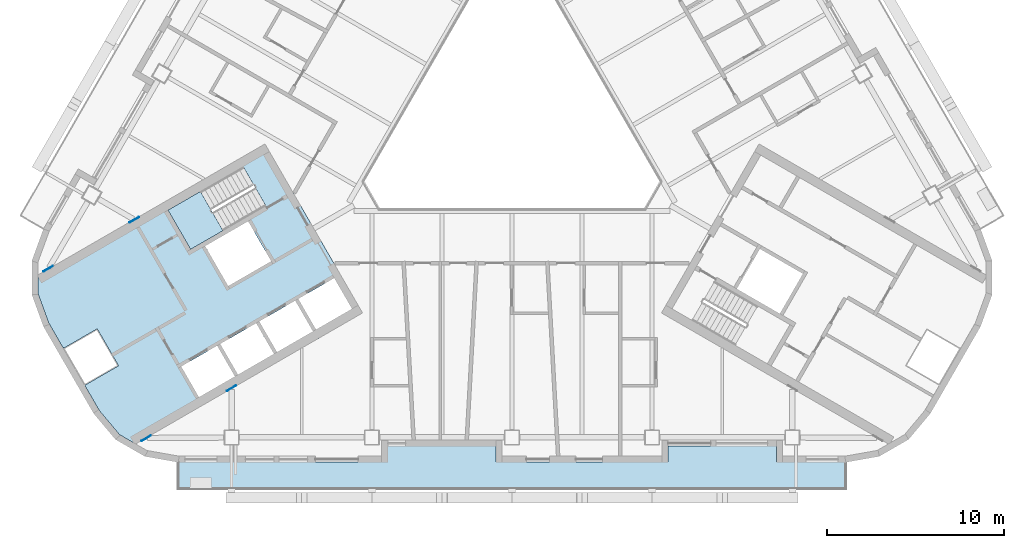
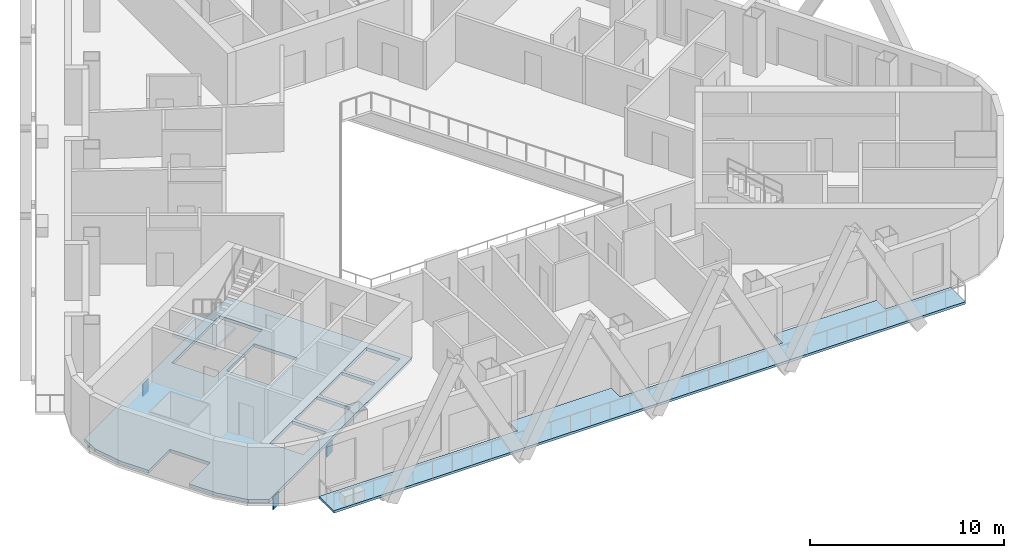
# One storey, part 2 of 17: 4 plates, 3 slabs, 1 element without a shape of its own.
"""IFC4 building model written with IfcOpenShell, lengths in metres."""

from ifc_helpers import new_model, si_unit, direction, frame, origin, origin_2d, place, context, subcontext, project, spatial, polyline, rectangle, outline, extrude, material, layer, layer_set, type_object, element, aggregate, save


model = new_model("IFC4")

# Units and contexts
model_context = context("Model", 3, precision=1e-05, world=origin(), true_north=direction((0.0, 1.0)))
body_context = subcontext(model_context, "Body", "Model", "MODEL_VIEW")
ifc_project = project(units=[si_unit("LENGTHUNIT", "METRE"), si_unit("AREAUNIT", "SQUARE_METRE"), si_unit("VOLUMEUNIT", "CUBIC_METRE"), si_unit("PLANEANGLEUNIT", "RADIAN"), si_unit("MASSUNIT", "GRAM", prefix="KILO")], contexts=[model_context])

# Site, building, storey
site_placement = place(None, origin())
site = spatial("IfcSite", under=ifc_project, at=site_placement, CompositionType="ELEMENT")
building_placement = place(site_placement, origin())
building = spatial("IfcBuilding", under=site, at=building_placement, Name="Apuvela Tower Hotel", CompositionType="ELEMENT")
storey_placement = place(building_placement, frame((0.0, 0.0, 146.60009765625)))
storey = spatial("IfcBuildingStorey", under=building, at=storey_placement, Name="L34", CompositionType="ELEMENT", Elevation=146.60009765625)

# Slab
ifc_material_1 = material(Name="Concrete C50/60", Category="concrete")
ifc_layer_1 = layer(ifc_material_1, 0.199951171875)
ifc_layer_set_1 = layer_set([ifc_layer_1], Name="COR-FLOOR-200")
slab_type_1 = type_object("IfcSlabType", Name="COR-FLOOR-200", PredefinedType="FLOOR", material=ifc_layer_set_1)
slab_1_placement = place(storey_placement, frame((0.0, 0.0, -0.2001953125)))
element("IfcSlab", 1, at=slab_1_placement, inside=storey, type_object=slab_type_1, Name="Core floor SW", PredefinedType="FLOOR", context=body_context, shape_type="SweptSolid", body=[
    extrude(outline(polyline([(-26.711181640625, -9.07080078125), (-26.711181640625, -10.123291015625), (-26.109375, -11.77734375), (-25.28173828125, -13.210693359375), (-23.37646484375, -12.11083984375), (-22.176513671875, -14.189208984375), (-24.081787109375, -15.289306640625), (-23.254150390625, -16.72265625), (-22.122802734375, -18.071044921875), (-21.211181640625, -18.59716796875), (-8.421630859375, -11.213134765625), (-13.921630859375, -1.68701171875), (-26.711181640625, -9.07080078125)]), holes=[polyline([(-10.01806640625, -9.248046875), (-9.01806640625, -10.97998046875), (-11.044677734375, -12.150146484375), (-12.044677734375, -10.418212890625), (-10.01806640625, -9.248046875)]), polyline([(-14.244384765625, -11.68798828125), (-12.2177734375, -10.51806640625), (-11.2177734375, -12.25), (-13.244384765625, -13.420166015625), (-14.244384765625, -11.68798828125)]), polyline([(-19.387451171875, -5.419921875), (-15.149169921875, -2.972900390625), (-13.874267578125, -5.18115234375), (-18.112548828125, -7.628173828125), (-19.387451171875, -5.419921875)]), polyline([(-14.869873046875, -6.044677734375), (-13.56982421875, -8.29638671875), (-15.99462890625, -9.6962890625), (-17.294677734375, -7.444580078125), (-14.869873046875, -6.044677734375)]), polyline([(-16.444091796875, -12.9580078125), (-14.41748046875, -11.7880859375), (-13.41748046875, -13.52001953125), (-15.444091796875, -14.690185546875), (-16.444091796875, -12.9580078125)]), polyline([(-18.643798828125, -14.22802734375), (-16.6171875, -13.05810546875), (-15.6171875, -14.7900390625), (-17.643798828125, -15.960205078125), (-18.643798828125, -14.22802734375)])]), origin(), (0.0, 0.0, 1.0), 0.2001953125),
])

# Stair, slab
stair_type = type_object("IfcStairType", Name="COR-STAIR-22R", PredefinedType="HALF_TURN_STAIR", material=ifc_material_1)
stair_placement = place(storey_placement, origin())
stair = element("IfcStair", 2, at=stair_placement, inside=storey, type_object=stair_type, Name="L34 Exit stair ST2", PredefinedType="HALF_TURN_STAIR")
ifc_layer_2 = layer(ifc_material_1, 0.199951171875)
ifc_layer_set_2 = layer_set([ifc_layer_2], Name="COR-LANDING-200")
slab_type_2 = type_object("IfcSlabType", Name="COR-LANDING-200", PredefinedType="LANDING", material=ifc_layer_set_2)
slab_2_placement = place(storey_placement, frame((0.0, 0.0, 1.64990234375)))
slab_2 = element("IfcSlab", 3, at=slab_2_placement, type_object=slab_type_2, Name="ST2 landing 1", PredefinedType="LANDING", context=body_context, shape_type="SweptSolid", body=[
    extrude(outline(polyline([(-17.563720703125, -4.366943359375), (-19.387451171875, -5.419921875), (-18.112548828125, -7.628173828125), (-16.28857421875, -6.5751953125), (-17.563720703125, -4.366943359375)])), origin(), (0.0, 0.0, 1.0), 0.199951171875),
])
aggregate(stair, [slab_2])

# Slab
ifc_material_2 = material(Name="Concrete C40/50, fair-faced", Category="concrete")
ifc_layer_3 = layer(ifc_material_2, 0.14990234375)
ifc_layer_set_3 = layer_set([ifc_layer_3], Name="ENV-BALCONY-150")
slab_type_3 = type_object("IfcSlabType", Name="ENV-BALCONY-150", PredefinedType="FLOOR", material=ifc_layer_set_3)
slab_3_placement = place(storey_placement, frame((0.0, 0.0, -0.150146484375)))
element("IfcSlab", 4, at=slab_3_placement, inside=storey, type_object=slab_type_3, Name="Balcony slab S L34", PredefinedType="FLOOR", context=body_context, shape_type="SweptSolid", body=[
    extrude(outline(polyline([(18.82080078125, -21.135009765625), (-18.82080078125, -21.135009765625), (-18.82080078125, -19.625), (-7.0048828125, -19.625), (-7.0048828125, -18.72509765625), (-0.89501953125, -18.72509765625), (-0.89501953125, -19.625), (8.794921875, -19.625), (8.794921875, -18.72509765625), (14.905029296875, -18.72509765625), (14.905029296875, -19.625), (18.82080078125, -19.625), (18.82080078125, -21.135009765625)])), origin(), (0.0, 0.0, 1.0), 0.150146484375),
])

# Plates
ifc_material_3 = material(Name="Steel S355", Category="steel")
ifc_layer_4 = layer(ifc_material_3, 0.0400390625)
ifc_layer_set_4 = layer_set([ifc_layer_4], Name="STR-CP 40 Steel S355")
plate_type = type_object("IfcPlateType", Name="STR-CP 40 Steel S355", PredefinedType="SHEET", material=ifc_layer_set_4)
for number, where, z_axis, x_axis, name in (
    (5, (-20.622802734375, -18.280517578125, -0.8603515625), (0.0, 0.0, 1.0), (0.5, -0.866025403784, 0.0), "Cast-in plate CP-T1-37 40"),
    (6, (-26.142578125, -8.719482421875, -0.8603515625), (0.0, 0.0, 1.0), (-0.5, 0.866025403784, 0.0), "Cast-in plate CP-T1-42 40"),
    (7, (-21.2900390625, -5.964111328125, -0.95703125), (0.0, 0.0, 1.0), (0.5, -0.866025403784, 0.0), "Cast-in plate CP-T1-46 40"),
    (8, (-15.81005859375, -15.455810546875, -0.95703125), (0.0, 0.0, 1.0), (-0.5, 0.866025403784, 0.0), "Cast-in plate CP-T1-47 40"),
):
    element("IfcPlate", number, at=place(storey_placement, frame(where, z_axis=z_axis, x_axis=x_axis)), inside=storey, type_object=plate_type, Name=name, PredefinedType="SHEET", context=body_context, shape_type="SweptSolid", body=[
        extrude(rectangle(XDim=0.0400390625, YDim=0.60009765625, at=origin_2d()), origin(), (0.0, 0.0, 1.0), 0.800048828125),
    ])

save(model, "model.ifc")
